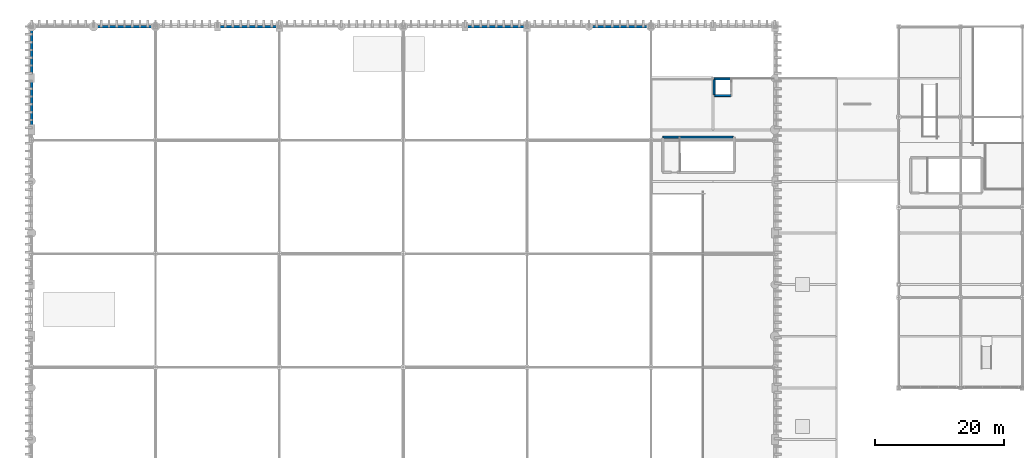
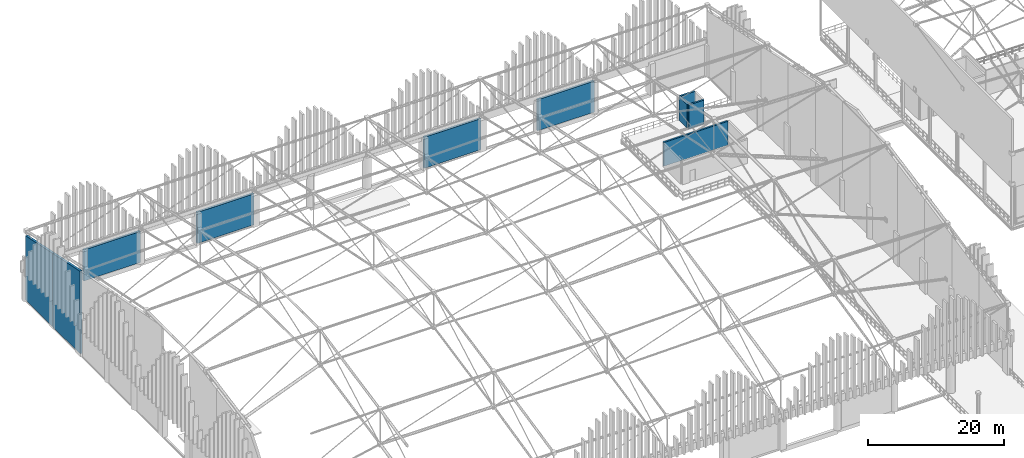
# One storey, part 159 of 193: 10 walls.
"""IFC4 building model written with IfcOpenShell, lengths in metres."""

from ifc_helpers import new_model, si_unit, direction, frame, frame_2d, origin, place, context, subcontext, project, spatial, polyline, rectangle, outline, extrude, material, layer, layer_set, type_object, element, save


model = new_model("IFC4")

# Units and contexts
model_context = context("Model", 3, precision=1e-05, world=origin(), true_north=direction((0.0, 1.0)))
body_context = subcontext(model_context, "Body", "Model", "MODEL_VIEW")
ifc_project = project(units=[si_unit("LENGTHUNIT", "METRE"), si_unit("AREAUNIT", "SQUARE_METRE"), si_unit("VOLUMEUNIT", "CUBIC_METRE"), si_unit("PLANEANGLEUNIT", "RADIAN"), si_unit("MASSUNIT", "GRAM", prefix="KILO")], contexts=[model_context])

# Site, building, storey
site_placement = place(None, origin())
site = spatial("IfcSite", under=ifc_project, at=site_placement, CompositionType="ELEMENT")
building_placement = place(site_placement, origin())
building = spatial("IfcBuilding", under=site, at=building_placement, Name="Danafjord Basin Convention Centre", CompositionType="ELEMENT")
storey_placement = place(building_placement, frame((0.0, 0.0, 11.39990234375)))
storey = spatial("IfcBuildingStorey", under=building, at=storey_placement, Name="L02", CompositionType="ELEMENT", Elevation=11.39990234375)

# Walls
ifc_material_1 = material(Name="Concrete C40/50", Category="concrete")
ifc_layer_1 = layer(ifc_material_1, 0.300048828125)
ifc_layer_set_1 = layer_set([ifc_layer_1], Name="Concrete C40/50")
wall_type_1 = type_object("IfcWallType", Name="WALL-CW-CORE300", PredefinedType="SHEAR", material=ifc_layer_set_1)
wall_1_placement = place(storey_placement, frame((108.7548828125, 126.860107421875, 0.0), z_axis=(0.0, 0.0, 1.0), x_axis=(-1.0, 0.0, 0.0)))
element("IfcWall", 1, at=wall_1_placement, inside=storey, type_object=wall_type_1, Name="North Exhibition Core Stair 1 core shear wall (north)", PredefinedType="SHEAR", context=body_context, shape_type="SweptSolid", body=[
    extrude(rectangle(XDim=10.90478515625, YDim=0.300048828125, at=frame_2d((5.452392578125, 0.0))), origin(), (0.0, 0.0, 1.0), 4.255126953125),
])
for number, where, z_axis, x_axis, name in (
    (2, (108.39990234375, 135.89990234375, 0.0), (0.0, 0.0, 1.0), (-1.0, 0.0, 0.0), "Lift LF-P04 shaft shear wall"),
    (3, (105.800048828125, 133.300048828125, 0.0), (0.0, 0.0, 1.0), (1.0, 0.0, 0.0), "Lift LF-P04 shaft shear wall"),
):
    element("IfcWall", number, at=place(storey_placement, frame(where, z_axis=z_axis, x_axis=x_axis)), inside=storey, type_object=wall_type_1, Name=name, PredefinedType="SHEAR", context=body_context, shape_type="SweptSolid", body=[
        extrude(rectangle(XDim=2.599853515625, YDim=0.300048828125, at=frame_2d((1.2998046875, 0.0))), origin(), (0.0, 0.0, 1.0), 4.255126953125),
    ])
wall_2_placement = place(storey_placement, frame((105.800048828125, 135.764892578125, 0.0), z_axis=(0.0, 0.0, 1.0), x_axis=(0.0, -1.0, 0.0)))
element("IfcWall", 4, at=wall_2_placement, inside=storey, type_object=wall_type_1, Name="Lift LF-P04 shaft shear wall", PredefinedType="SHEAR", context=body_context, shape_type="SweptSolid", body=[
    extrude(rectangle(XDim=2.329833984375, YDim=0.300048828125, at=frame_2d((1.1650390625, 0.0))), origin(), (0.0, 0.0, 1.0), 4.255126953125),
])
ifc_material_2 = material(Name="Precast concrete C45/55", Category="concrete")
ifc_layer_2 = layer(ifc_material_2, 0.3798828125)
ifc_layer_set_2 = layer_set([ifc_layer_2], Name="Precast concrete C45/55")
wall_type_2 = type_object("IfcWallType", Name="WALL-EW-PC380", PredefinedType="SOLIDWALL", material=ifc_layer_set_2)
for number, where, z_axis, x_axis, name in (
    (5, (9.60009765625, 144.0, 0.0), (0.0, 0.0, 1.0), (1.0, 0.0, 0.0), "Exhibition hall N clerestory precast wall"),
    (6, (28.800048828125, 144.0, 0.0), (0.0, 0.0, 1.0), (1.0, 0.0, 0.0), "Exhibition hall N clerestory precast wall"),
):
    element("IfcWall", number, at=place(storey_placement, frame(where, z_axis=z_axis, x_axis=x_axis)), inside=storey, type_object=wall_type_2, Name=name, PredefinedType="SOLIDWALL", context=body_context, shape_type="SweptSolid", body=[
        extrude(rectangle(XDim=9.599853515625, YDim=0.3798828125, at=frame_2d((4.7998046875, 0.0))), origin(), (0.0, 0.0, 1.0), 5.550048828125),
    ])
for number, where, z_axis, x_axis, name in (
    (7, (67.199951171875, 144.0, 0.0), (0.0, 0.0, 1.0), (1.0, 0.0, 0.0), "Exhibition hall N clerestory precast wall"),
    (8, (86.39990234375, 144.0, 0.0), (0.0, 0.0, 1.0), (1.0, 0.0, 0.0), "Exhibition hall N clerestory precast wall"),
):
    element("IfcWall", number, at=place(storey_placement, frame(where, z_axis=z_axis, x_axis=x_axis)), inside=storey, type_object=wall_type_2, Name=name, PredefinedType="SOLIDWALL", context=body_context, shape_type="SweptSolid", body=[
        extrude(rectangle(XDim=9.60009765625, YDim=0.3798828125, at=frame_2d((4.800048828125, 0.0))), origin(), (0.0, 0.0, 1.0), 5.550048828125),
    ])
wall_3_placement = place(storey_placement, frame((0.0, 128.0, 0.0), z_axis=(0.0, 0.0, 1.0), x_axis=(0.0, 1.0, 0.0)))
element("IfcWall", 9, at=wall_3_placement, inside=storey, type_object=wall_type_2, Name="Wave-crested architectural precast gable wall W-10", PredefinedType="SOLIDWALL", context=body_context, shape_type="SweptSolid", body=[
    extrude(outline(polyline([(0.0, 0.0), (8.0, 0.0), (8.0, 13.114013671875), (4.0, 13.946044921875), (0.0, 14.778076171875), (0.0, 0.0)])), frame((0.0, 0.18994140625, 0.0), z_axis=(0.0, -1.0, 0.0), x_axis=(1.0, 0.0, 0.0)), (0.0, 0.0, 1.0), 0.3798828125),
])
wall_4_placement = place(storey_placement, frame((0.0, 136.0, 0.0), z_axis=(0.0, 0.0, 1.0), x_axis=(0.0, 1.0, 0.0)))
element("IfcWall", 10, at=wall_4_placement, inside=storey, type_object=wall_type_2, Name="Wave-crested architectural precast gable wall W-11", PredefinedType="SOLIDWALL", context=body_context, shape_type="SweptSolid", body=[
    extrude(outline(polyline([(0.0, 0.0), (8.0, 0.0), (8.0, 11.4501953125), (4.0, 12.281982421875), (0.0, 13.114013671875), (0.0, 0.0)])), frame((0.0, 0.18994140625, 0.0), z_axis=(0.0, -1.0, 0.0), x_axis=(1.0, 0.0, 0.0)), (0.0, 0.0, 1.0), 0.3798828125),
])

save(model, "model.ifc")
